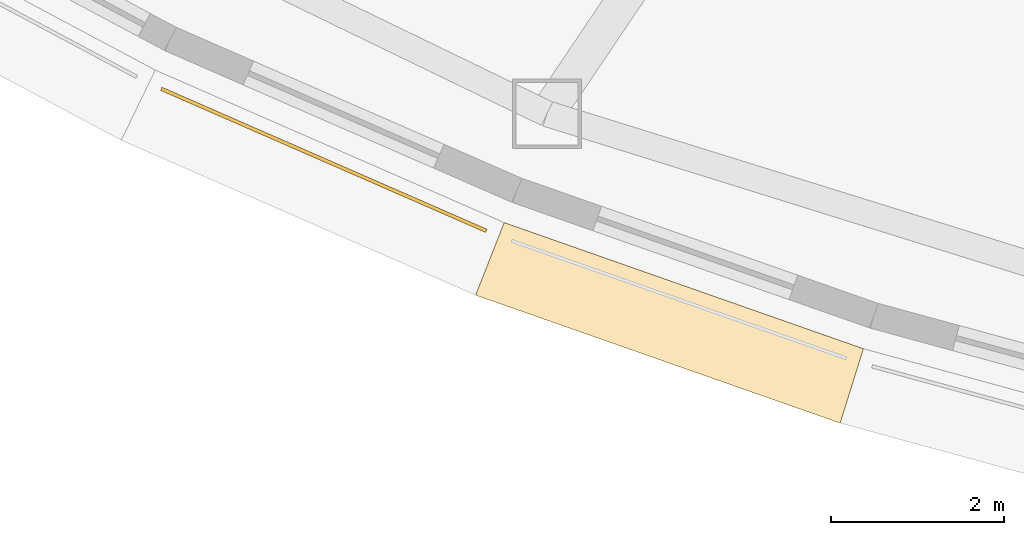
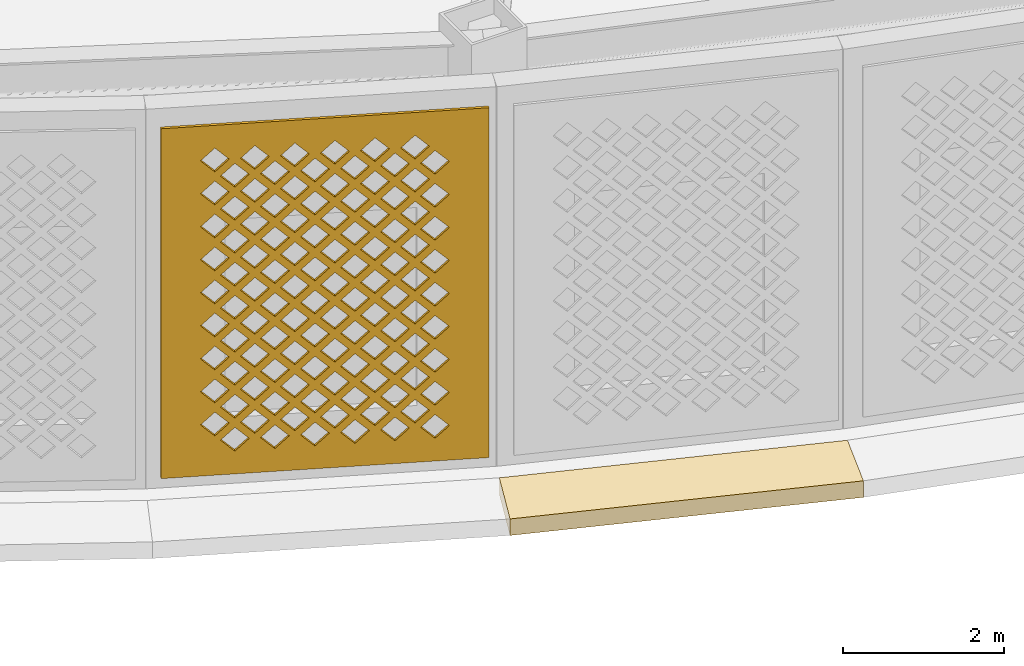
# One storey, part 52 of 74: 2 coverings.
"""IFC4 building model written with IfcOpenShell, lengths in metres."""

from ifc_helpers import new_model, si_unit, direction, frame, origin, place, context, subcontext, project, spatial, polyline, outline, extrude, material, layer, layer_set, type_object, element, save


model = new_model("IFC4")

# Units and contexts
model_context = context("Model", 3, precision=1e-05, world=origin(), true_north=direction((0.0, 1.0)))
body_context = subcontext(model_context, "Body", "Model", "MODEL_VIEW")
ifc_project = project(units=[si_unit("LENGTHUNIT", "METRE"), si_unit("AREAUNIT", "SQUARE_METRE"), si_unit("VOLUMEUNIT", "CUBIC_METRE"), si_unit("PLANEANGLEUNIT", "RADIAN"), si_unit("MASSUNIT", "GRAM", prefix="KILO")], contexts=[model_context])

# Site, building, storey
site_placement = place(None, origin())
site = spatial("IfcSite", under=ifc_project, at=site_placement, CompositionType="ELEMENT")
building_placement = place(site_placement, origin())
building = spatial("IfcBuilding", under=site, at=building_placement, Name="Noorbagh Ring Tower", CompositionType="ELEMENT")
storey_placement = place(building_placement, frame((0.0, 0.0, 13.5)))
storey = spatial("IfcBuildingStorey", under=building, at=storey_placement, Name="L02", CompositionType="ELEMENT", Elevation=13.5)

# Coverings
ifc_material_1 = material(Name="Red sandstone eave", Category="masonry")
covering_type_1 = type_object("IfcCoveringType", Name="STY-CHHAJJA", PredefinedType="USERDEFINED", material=ifc_material_1)
covering_1_placement = place(storey_placement, frame((0.0, 0.0, -0.25)))
element("IfcCovering", 1, at=covering_1_placement, inside=storey, type_object=covering_type_1, Name="Chhajja eave", ObjectType="CHHAJJA", PredefinedType="USERDEFINED", context=body_context, shape_type="SweptSolid", body=[
    extrude(outline(polyline([(-23.647216796875, -35.624755859375), (-19.49853515625, -37.081298828125), (-19.7666015625, -37.941162109375), (-23.976806640625, -36.462890625), (-23.647216796875, -35.624755859375)])), origin(), (0.0, 0.0, 1.0), 0.25),
])
ifc_material_2 = material(Name="Red sandstone jali", Category="masonry")
ifc_layer = layer(ifc_material_2, 0.0400390625)
ifc_layer_set = layer_set([ifc_layer], Name="Red sandstone jali")
covering_type_2 = type_object("IfcCoveringType", Name="STY-JALI", PredefinedType="USERDEFINED", material=ifc_layer_set)
covering_2_placement = place(storey_placement, frame((-27.614501953125, -34.09814453125, 0.449951171875), z_axis=(-0.400468668207, -0.916310452731, 0.0), x_axis=(0.916310452731, -0.400468668207, 0.0)))
element("IfcCovering", 2, at=covering_2_placement, inside=storey, type_object=covering_type_2, Name="Jali screen", ObjectType="SCREEN", PredefinedType="USERDEFINED", context=body_context, shape_type="SweptSolid", body=[
    extrude(outline(polyline([(0.0, 0.0), (4.0966796875, 0.0), (4.0966796875, 5.300048828125), (0.0, 5.300048828125), (0.0, 0.0)]), holes=[polyline([(0.743408203125, 0.52490234375), (0.92333984375, 0.344970703125), (1.103515625, 0.52490234375), (0.92333984375, 0.705078125), (0.743408203125, 0.52490234375)]), polyline([(1.243408203125, 0.52490234375), (1.42333984375, 0.344970703125), (1.603515625, 0.52490234375), (1.42333984375, 0.705078125), (1.243408203125, 0.52490234375)]), polyline([(1.743408203125, 0.52490234375), (1.92333984375, 0.344970703125), (2.103515625, 0.52490234375), (1.92333984375, 0.705078125), (1.743408203125, 0.52490234375)]), polyline([(2.243408203125, 0.52490234375), (2.42333984375, 0.344970703125), (2.603515625, 0.52490234375), (2.42333984375, 0.705078125), (2.243408203125, 0.52490234375)]), polyline([(2.743408203125, 0.52490234375), (2.92333984375, 0.344970703125), (3.103515625, 0.52490234375), (2.92333984375, 0.705078125), (2.743408203125, 0.52490234375)]), polyline([(3.243408203125, 0.52490234375), (3.42333984375, 0.344970703125), (3.603515625, 0.52490234375), (3.42333984375, 0.705078125), (3.243408203125, 0.52490234375)]), polyline([(0.493408203125, 0.77490234375), (0.67333984375, 0.594970703125), (0.853515625, 0.77490234375), (0.67333984375, 0.955078125), (0.493408203125, 0.77490234375)]), polyline([(0.993408203125, 0.77490234375), (1.17333984375, 0.594970703125), (1.353515625, 0.77490234375), (1.17333984375, 0.955078125), (0.993408203125, 0.77490234375)]), polyline([(1.493408203125, 0.77490234375), (1.67333984375, 0.594970703125), (1.853515625, 0.77490234375), (1.67333984375, 0.955078125), (1.493408203125, 0.77490234375)]), polyline([(1.993408203125, 0.77490234375), (2.17333984375, 0.594970703125), (2.353515625, 0.77490234375), (2.17333984375, 0.955078125), (1.993408203125, 0.77490234375)]), polyline([(2.493408203125, 0.77490234375), (2.67333984375, 0.594970703125), (2.853515625, 0.77490234375), (2.67333984375, 0.955078125), (2.493408203125, 0.77490234375)]), polyline([(2.993408203125, 0.77490234375), (3.17333984375, 0.594970703125), (3.353515625, 0.77490234375), (3.17333984375, 0.955078125), (2.993408203125, 0.77490234375)]), polyline([(0.743408203125, 1.02490234375), (0.92333984375, 0.844970703125), (1.103515625, 1.02490234375), (0.92333984375, 1.205078125), (0.743408203125, 1.02490234375)]), polyline([(1.243408203125, 1.02490234375), (1.42333984375, 0.844970703125), (1.603515625, 1.02490234375), (1.42333984375, 1.205078125), (1.243408203125, 1.02490234375)]), polyline([(1.743408203125, 1.02490234375), (1.92333984375, 0.844970703125), (2.103515625, 1.02490234375), (1.92333984375, 1.205078125), (1.743408203125, 1.02490234375)]), polyline([(2.243408203125, 1.02490234375), (2.42333984375, 0.844970703125), (2.603515625, 1.02490234375), (2.42333984375, 1.205078125), (2.243408203125, 1.02490234375)]), polyline([(2.743408203125, 1.02490234375), (2.92333984375, 0.844970703125), (3.103515625, 1.02490234375), (2.92333984375, 1.205078125), (2.743408203125, 1.02490234375)]), polyline([(3.243408203125, 1.02490234375), (3.42333984375, 0.844970703125), (3.603515625, 1.02490234375), (3.42333984375, 1.205078125), (3.243408203125, 1.02490234375)]), polyline([(0.493408203125, 1.27490234375), (0.67333984375, 1.094970703125), (0.853515625, 1.27490234375), (0.67333984375, 1.455078125), (0.493408203125, 1.27490234375)]), polyline([(0.993408203125, 1.27490234375), (1.17333984375, 1.094970703125), (1.353515625, 1.27490234375), (1.17333984375, 1.455078125), (0.993408203125, 1.27490234375)]), polyline([(1.493408203125, 1.27490234375), (1.67333984375, 1.094970703125), (1.853515625, 1.27490234375), (1.67333984375, 1.455078125), (1.493408203125, 1.27490234375)]), polyline([(1.993408203125, 1.27490234375), (2.17333984375, 1.094970703125), (2.353515625, 1.27490234375), (2.17333984375, 1.455078125), (1.993408203125, 1.27490234375)]), polyline([(2.493408203125, 1.27490234375), (2.67333984375, 1.094970703125), (2.853515625, 1.27490234375), (2.67333984375, 1.455078125), (2.493408203125, 1.27490234375)]), polyline([(2.993408203125, 1.27490234375), (3.17333984375, 1.094970703125), (3.353515625, 1.27490234375), (3.17333984375, 1.455078125), (2.993408203125, 1.27490234375)]), polyline([(0.743408203125, 1.52490234375), (0.92333984375, 1.344970703125), (1.103515625, 1.52490234375), (0.92333984375, 1.705078125), (0.743408203125, 1.52490234375)]), polyline([(1.243408203125, 1.52490234375), (1.42333984375, 1.344970703125), (1.603515625, 1.52490234375), (1.42333984375, 1.705078125), (1.243408203125, 1.52490234375)]), polyline([(1.743408203125, 1.52490234375), (1.92333984375, 1.344970703125), (2.103515625, 1.52490234375), (1.92333984375, 1.705078125), (1.743408203125, 1.52490234375)]), polyline([(2.243408203125, 1.52490234375), (2.42333984375, 1.344970703125), (2.603515625, 1.52490234375), (2.42333984375, 1.705078125), (2.243408203125, 1.52490234375)]), polyline([(2.743408203125, 1.52490234375), (2.92333984375, 1.344970703125), (3.103515625, 1.52490234375), (2.92333984375, 1.705078125), (2.743408203125, 1.52490234375)]), polyline([(3.243408203125, 1.52490234375), (3.42333984375, 1.344970703125), (3.603515625, 1.52490234375), (3.42333984375, 1.705078125), (3.243408203125, 1.52490234375)]), polyline([(0.493408203125, 1.77490234375), (0.67333984375, 1.594970703125), (0.853515625, 1.77490234375), (0.67333984375, 1.955078125), (0.493408203125, 1.77490234375)]), polyline([(0.993408203125, 1.77490234375), (1.17333984375, 1.594970703125), (1.353515625, 1.77490234375), (1.17333984375, 1.955078125), (0.993408203125, 1.77490234375)]), polyline([(1.493408203125, 1.77490234375), (1.67333984375, 1.594970703125), (1.853515625, 1.77490234375), (1.67333984375, 1.955078125), (1.493408203125, 1.77490234375)]), polyline([(1.993408203125, 1.77490234375), (2.17333984375, 1.594970703125), (2.353515625, 1.77490234375), (2.17333984375, 1.955078125), (1.993408203125, 1.77490234375)]), polyline([(2.493408203125, 1.77490234375), (2.67333984375, 1.594970703125), (2.853515625, 1.77490234375), (2.67333984375, 1.955078125), (2.493408203125, 1.77490234375)]), polyline([(2.993408203125, 1.77490234375), (3.17333984375, 1.594970703125), (3.353515625, 1.77490234375), (3.17333984375, 1.955078125), (2.993408203125, 1.77490234375)]), polyline([(0.743408203125, 2.02490234375), (0.92333984375, 1.844970703125), (1.103515625, 2.02490234375), (0.92333984375, 2.205078125), (0.743408203125, 2.02490234375)]), polyline([(1.243408203125, 2.02490234375), (1.42333984375, 1.844970703125), (1.603515625, 2.02490234375), (1.42333984375, 2.205078125), (1.243408203125, 2.02490234375)]), polyline([(1.743408203125, 2.02490234375), (1.92333984375, 1.844970703125), (2.103515625, 2.02490234375), (1.92333984375, 2.205078125), (1.743408203125, 2.02490234375)]), polyline([(2.243408203125, 2.02490234375), (2.42333984375, 1.844970703125), (2.603515625, 2.02490234375), (2.42333984375, 2.205078125), (2.243408203125, 2.02490234375)]), polyline([(2.743408203125, 2.02490234375), (2.92333984375, 1.844970703125), (3.103515625, 2.02490234375), (2.92333984375, 2.205078125), (2.743408203125, 2.02490234375)]), polyline([(3.243408203125, 2.02490234375), (3.42333984375, 1.844970703125), (3.603515625, 2.02490234375), (3.42333984375, 2.205078125), (3.243408203125, 2.02490234375)]), polyline([(0.493408203125, 2.27490234375), (0.67333984375, 2.094970703125), (0.853515625, 2.27490234375), (0.67333984375, 2.455078125), (0.493408203125, 2.27490234375)]), polyline([(0.993408203125, 2.27490234375), (1.17333984375, 2.094970703125), (1.353515625, 2.27490234375), (1.17333984375, 2.455078125), (0.993408203125, 2.27490234375)]), polyline([(1.493408203125, 2.27490234375), (1.67333984375, 2.094970703125), (1.853515625, 2.27490234375), (1.67333984375, 2.455078125), (1.493408203125, 2.27490234375)]), polyline([(1.993408203125, 2.27490234375), (2.17333984375, 2.094970703125), (2.353515625, 2.27490234375), (2.17333984375, 2.455078125), (1.993408203125, 2.27490234375)]), polyline([(2.493408203125, 2.27490234375), (2.67333984375, 2.094970703125), (2.853515625, 2.27490234375), (2.67333984375, 2.455078125), (2.493408203125, 2.27490234375)]), polyline([(2.993408203125, 2.27490234375), (3.17333984375, 2.094970703125), (3.353515625, 2.27490234375), (3.17333984375, 2.455078125), (2.993408203125, 2.27490234375)]), polyline([(0.743408203125, 2.52490234375), (0.92333984375, 2.344970703125), (1.103515625, 2.52490234375), (0.92333984375, 2.705078125), (0.743408203125, 2.52490234375)]), polyline([(1.243408203125, 2.52490234375), (1.42333984375, 2.344970703125), (1.603515625, 2.52490234375), (1.42333984375, 2.705078125), (1.243408203125, 2.52490234375)]), polyline([(1.743408203125, 2.52490234375), (1.92333984375, 2.344970703125), (2.103515625, 2.52490234375), (1.92333984375, 2.705078125), (1.743408203125, 2.52490234375)]), polyline([(2.243408203125, 2.52490234375), (2.42333984375, 2.344970703125), (2.603515625, 2.52490234375), (2.42333984375, 2.705078125), (2.243408203125, 2.52490234375)]), polyline([(2.743408203125, 2.52490234375), (2.92333984375, 2.344970703125), (3.103515625, 2.52490234375), (2.92333984375, 2.705078125), (2.743408203125, 2.52490234375)]), polyline([(3.243408203125, 2.52490234375), (3.42333984375, 2.344970703125), (3.603515625, 2.52490234375), (3.42333984375, 2.705078125), (3.243408203125, 2.52490234375)]), polyline([(0.493408203125, 2.77490234375), (0.67333984375, 2.594970703125), (0.853515625, 2.77490234375), (0.67333984375, 2.955078125), (0.493408203125, 2.77490234375)]), polyline([(0.993408203125, 2.77490234375), (1.17333984375, 2.594970703125), (1.353515625, 2.77490234375), (1.17333984375, 2.955078125), (0.993408203125, 2.77490234375)]), polyline([(1.493408203125, 2.77490234375), (1.67333984375, 2.594970703125), (1.853515625, 2.77490234375), (1.67333984375, 2.955078125), (1.493408203125, 2.77490234375)]), polyline([(1.993408203125, 2.77490234375), (2.17333984375, 2.594970703125), (2.353515625, 2.77490234375), (2.17333984375, 2.955078125), (1.993408203125, 2.77490234375)]), polyline([(2.493408203125, 2.77490234375), (2.67333984375, 2.594970703125), (2.853515625, 2.77490234375), (2.67333984375, 2.955078125), (2.493408203125, 2.77490234375)]), polyline([(2.993408203125, 2.77490234375), (3.17333984375, 2.594970703125), (3.353515625, 2.77490234375), (3.17333984375, 2.955078125), (2.993408203125, 2.77490234375)]), polyline([(0.743408203125, 3.02490234375), (0.92333984375, 2.844970703125), (1.103515625, 3.02490234375), (0.92333984375, 3.205078125), (0.743408203125, 3.02490234375)]), polyline([(1.243408203125, 3.02490234375), (1.42333984375, 2.844970703125), (1.603515625, 3.02490234375), (1.42333984375, 3.205078125), (1.243408203125, 3.02490234375)]), polyline([(1.743408203125, 3.02490234375), (1.92333984375, 2.844970703125), (2.103515625, 3.02490234375), (1.92333984375, 3.205078125), (1.743408203125, 3.02490234375)]), polyline([(2.243408203125, 3.02490234375), (2.42333984375, 2.844970703125), (2.603515625, 3.02490234375), (2.42333984375, 3.205078125), (2.243408203125, 3.02490234375)]), polyline([(2.743408203125, 3.02490234375), (2.92333984375, 2.844970703125), (3.103515625, 3.02490234375), (2.92333984375, 3.205078125), (2.743408203125, 3.02490234375)]), polyline([(3.243408203125, 3.02490234375), (3.42333984375, 2.844970703125), (3.603515625, 3.02490234375), (3.42333984375, 3.205078125), (3.243408203125, 3.02490234375)]), polyline([(0.493408203125, 3.27490234375), (0.67333984375, 3.094970703125), (0.853515625, 3.27490234375), (0.67333984375, 3.455078125), (0.493408203125, 3.27490234375)]), polyline([(0.993408203125, 3.27490234375), (1.17333984375, 3.094970703125), (1.353515625, 3.27490234375), (1.17333984375, 3.455078125), (0.993408203125, 3.27490234375)]), polyline([(1.493408203125, 3.27490234375), (1.67333984375, 3.094970703125), (1.853515625, 3.27490234375), (1.67333984375, 3.455078125), (1.493408203125, 3.27490234375)]), polyline([(1.993408203125, 3.27490234375), (2.17333984375, 3.094970703125), (2.353515625, 3.27490234375), (2.17333984375, 3.455078125), (1.993408203125, 3.27490234375)]), polyline([(2.493408203125, 3.27490234375), (2.67333984375, 3.094970703125), (2.853515625, 3.27490234375), (2.67333984375, 3.455078125), (2.493408203125, 3.27490234375)]), polyline([(2.993408203125, 3.27490234375), (3.17333984375, 3.094970703125), (3.353515625, 3.27490234375), (3.17333984375, 3.455078125), (2.993408203125, 3.27490234375)]), polyline([(0.743408203125, 3.52490234375), (0.92333984375, 3.344970703125), (1.103515625, 3.52490234375), (0.92333984375, 3.705078125), (0.743408203125, 3.52490234375)]), polyline([(1.243408203125, 3.52490234375), (1.42333984375, 3.344970703125), (1.603515625, 3.52490234375), (1.42333984375, 3.705078125), (1.243408203125, 3.52490234375)]), polyline([(1.743408203125, 3.52490234375), (1.92333984375, 3.344970703125), (2.103515625, 3.52490234375), (1.92333984375, 3.705078125), (1.743408203125, 3.52490234375)]), polyline([(2.243408203125, 3.52490234375), (2.42333984375, 3.344970703125), (2.603515625, 3.52490234375), (2.42333984375, 3.705078125), (2.243408203125, 3.52490234375)]), polyline([(2.743408203125, 3.52490234375), (2.92333984375, 3.344970703125), (3.103515625, 3.52490234375), (2.92333984375, 3.705078125), (2.743408203125, 3.52490234375)]), polyline([(3.243408203125, 3.52490234375), (3.42333984375, 3.344970703125), (3.603515625, 3.52490234375), (3.42333984375, 3.705078125), (3.243408203125, 3.52490234375)]), polyline([(0.493408203125, 3.77490234375), (0.67333984375, 3.594970703125), (0.853515625, 3.77490234375), (0.67333984375, 3.955078125), (0.493408203125, 3.77490234375)]), polyline([(0.993408203125, 3.77490234375), (1.17333984375, 3.594970703125), (1.353515625, 3.77490234375), (1.17333984375, 3.955078125), (0.993408203125, 3.77490234375)]), polyline([(1.493408203125, 3.77490234375), (1.67333984375, 3.594970703125), (1.853515625, 3.77490234375), (1.67333984375, 3.955078125), (1.493408203125, 3.77490234375)]), polyline([(1.993408203125, 3.77490234375), (2.17333984375, 3.594970703125), (2.353515625, 3.77490234375), (2.17333984375, 3.955078125), (1.993408203125, 3.77490234375)]), polyline([(2.493408203125, 3.77490234375), (2.67333984375, 3.594970703125), (2.853515625, 3.77490234375), (2.67333984375, 3.955078125), (2.493408203125, 3.77490234375)]), polyline([(2.993408203125, 3.77490234375), (3.17333984375, 3.594970703125), (3.353515625, 3.77490234375), (3.17333984375, 3.955078125), (2.993408203125, 3.77490234375)]), polyline([(0.743408203125, 4.02490234375), (0.92333984375, 3.844970703125), (1.103515625, 4.02490234375), (0.92333984375, 4.205078125), (0.743408203125, 4.02490234375)]), polyline([(1.243408203125, 4.02490234375), (1.42333984375, 3.844970703125), (1.603515625, 4.02490234375), (1.42333984375, 4.205078125), (1.243408203125, 4.02490234375)]), polyline([(1.743408203125, 4.02490234375), (1.92333984375, 3.844970703125), (2.103515625, 4.02490234375), (1.92333984375, 4.205078125), (1.743408203125, 4.02490234375)]), polyline([(2.243408203125, 4.02490234375), (2.42333984375, 3.844970703125), (2.603515625, 4.02490234375), (2.42333984375, 4.205078125), (2.243408203125, 4.02490234375)]), polyline([(2.743408203125, 4.02490234375), (2.92333984375, 3.844970703125), (3.103515625, 4.02490234375), (2.92333984375, 4.205078125), (2.743408203125, 4.02490234375)]), polyline([(3.243408203125, 4.02490234375), (3.42333984375, 3.844970703125), (3.603515625, 4.02490234375), (3.42333984375, 4.205078125), (3.243408203125, 4.02490234375)]), polyline([(0.493408203125, 4.27490234375), (0.67333984375, 4.094970703125), (0.853515625, 4.27490234375), (0.67333984375, 4.455078125), (0.493408203125, 4.27490234375)]), polyline([(0.993408203125, 4.27490234375), (1.17333984375, 4.094970703125), (1.353515625, 4.27490234375), (1.17333984375, 4.455078125), (0.993408203125, 4.27490234375)]), polyline([(1.493408203125, 4.27490234375), (1.67333984375, 4.094970703125), (1.853515625, 4.27490234375), (1.67333984375, 4.455078125), (1.493408203125, 4.27490234375)]), polyline([(1.993408203125, 4.27490234375), (2.17333984375, 4.094970703125), (2.353515625, 4.27490234375), (2.17333984375, 4.455078125), (1.993408203125, 4.27490234375)]), polyline([(2.493408203125, 4.27490234375), (2.67333984375, 4.094970703125), (2.853515625, 4.27490234375), (2.67333984375, 4.455078125), (2.493408203125, 4.27490234375)]), polyline([(2.993408203125, 4.27490234375), (3.17333984375, 4.094970703125), (3.353515625, 4.27490234375), (3.17333984375, 4.455078125), (2.993408203125, 4.27490234375)]), polyline([(0.743408203125, 4.52490234375), (0.92333984375, 4.344970703125), (1.103515625, 4.52490234375), (0.92333984375, 4.705078125), (0.743408203125, 4.52490234375)]), polyline([(1.243408203125, 4.52490234375), (1.42333984375, 4.344970703125), (1.603515625, 4.52490234375), (1.42333984375, 4.705078125), (1.243408203125, 4.52490234375)]), polyline([(1.743408203125, 4.52490234375), (1.92333984375, 4.344970703125), (2.103515625, 4.52490234375), (1.92333984375, 4.705078125), (1.743408203125, 4.52490234375)]), polyline([(2.243408203125, 4.52490234375), (2.42333984375, 4.344970703125), (2.603515625, 4.52490234375), (2.42333984375, 4.705078125), (2.243408203125, 4.52490234375)]), polyline([(2.743408203125, 4.52490234375), (2.92333984375, 4.344970703125), (3.103515625, 4.52490234375), (2.92333984375, 4.705078125), (2.743408203125, 4.52490234375)]), polyline([(3.243408203125, 4.52490234375), (3.42333984375, 4.344970703125), (3.603515625, 4.52490234375), (3.42333984375, 4.705078125), (3.243408203125, 4.52490234375)]), polyline([(0.493408203125, 4.77490234375), (0.67333984375, 4.594970703125), (0.853515625, 4.77490234375), (0.67333984375, 4.955078125), (0.493408203125, 4.77490234375)]), polyline([(0.993408203125, 4.77490234375), (1.17333984375, 4.594970703125), (1.353515625, 4.77490234375), (1.17333984375, 4.955078125), (0.993408203125, 4.77490234375)]), polyline([(1.493408203125, 4.77490234375), (1.67333984375, 4.594970703125), (1.853515625, 4.77490234375), (1.67333984375, 4.955078125), (1.493408203125, 4.77490234375)]), polyline([(1.993408203125, 4.77490234375), (2.17333984375, 4.594970703125), (2.353515625, 4.77490234375), (2.17333984375, 4.955078125), (1.993408203125, 4.77490234375)]), polyline([(2.493408203125, 4.77490234375), (2.67333984375, 4.594970703125), (2.853515625, 4.77490234375), (2.67333984375, 4.955078125), (2.493408203125, 4.77490234375)]), polyline([(2.993408203125, 4.77490234375), (3.17333984375, 4.594970703125), (3.353515625, 4.77490234375), (3.17333984375, 4.955078125), (2.993408203125, 4.77490234375)])]), origin(), (0.0, 0.0, -1.0), 0.0400390625),
])

save(model, "model.ifc")
